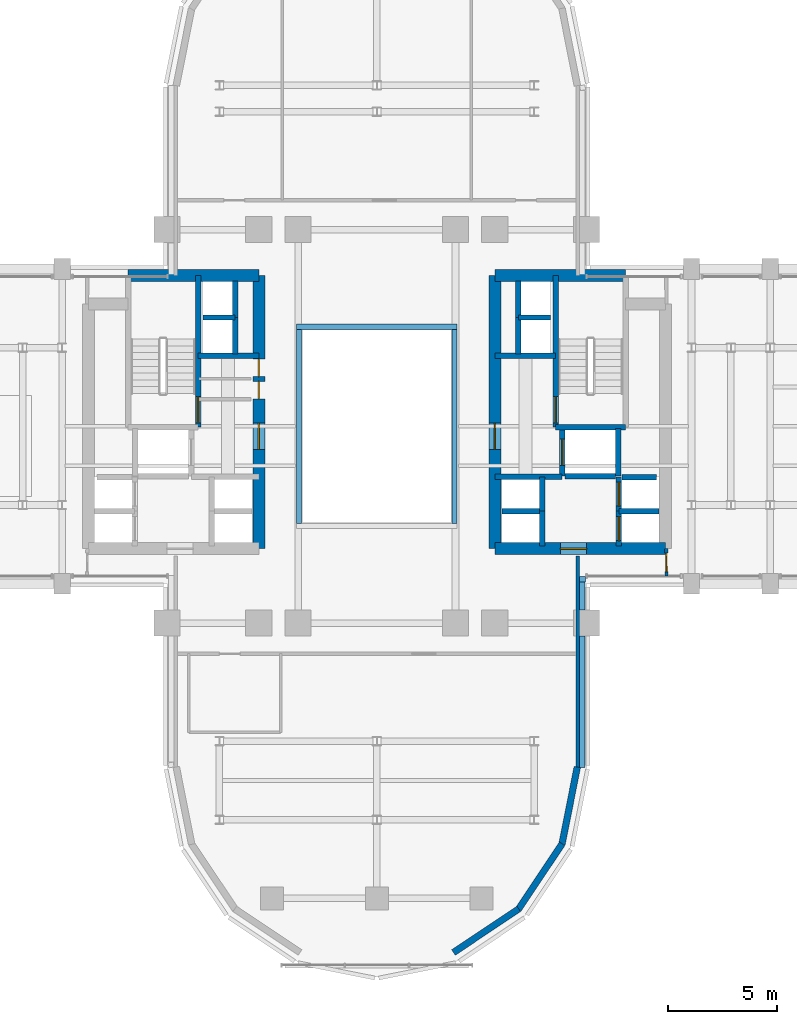
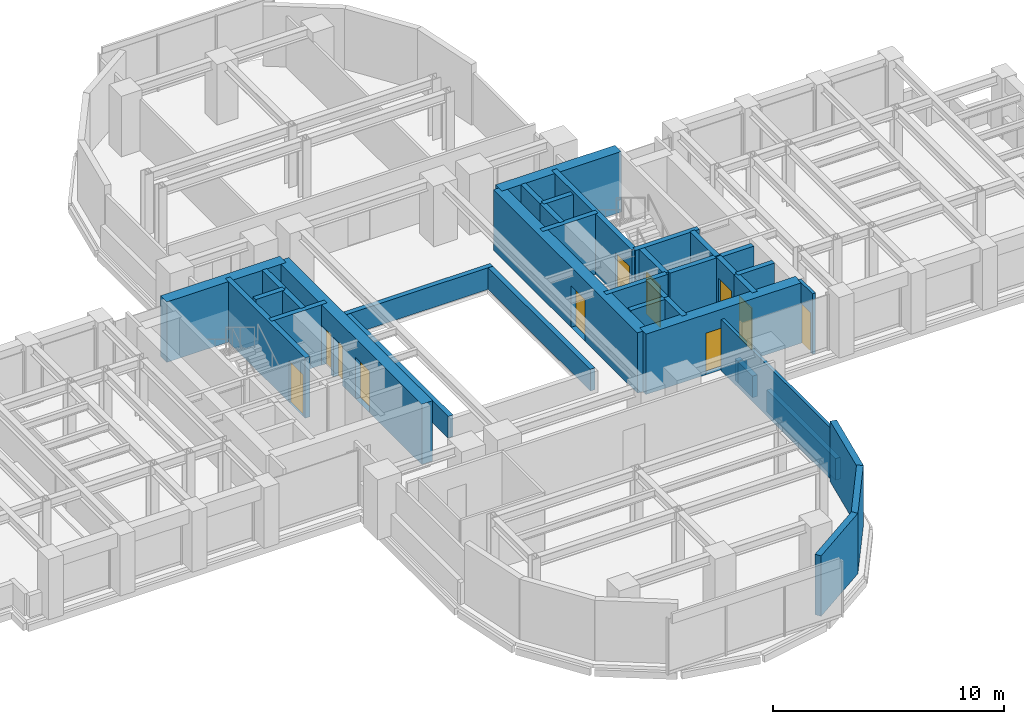
# One storey, part 11 of 15: 38 walls, 11 doors, 11 openings.
"""IFC4 building model written with IfcOpenShell, lengths in metres."""

from ifc_helpers import new_model, si_unit, direction, frame, frame_2d, origin, place, context, subcontext, project, spatial, rectangle, extrude, source, transform, mapped, material, layer, layer_set, type_object, element, fill, save


model = new_model("IFC4")

# Units and contexts
model_context = context("Model", 3, precision=1e-05, world=origin(), true_north=direction((0.0, 1.0)))
body_context = subcontext(model_context, "Body", "Model", "MODEL_VIEW")
ifc_project = project(units=[si_unit("LENGTHUNIT", "METRE"), si_unit("AREAUNIT", "SQUARE_METRE"), si_unit("VOLUMEUNIT", "CUBIC_METRE"), si_unit("PLANEANGLEUNIT", "RADIAN"), si_unit("MASSUNIT", "GRAM", prefix="KILO")], contexts=[model_context])

# Site, building, storey
site_placement = place(None, origin())
site = spatial("IfcSite", under=ifc_project, at=site_placement, CompositionType="ELEMENT")
building_placement = place(site_placement, origin())
building = spatial("IfcBuilding", under=site, at=building_placement, Name="Keilestroom Media Tower", CompositionType="ELEMENT")
storey_placement = place(building_placement, frame((0.0, 0.0, 40.800048828125)))
storey = spatial("IfcBuildingStorey", under=building, at=storey_placement, Name="L09", CompositionType="ELEMENT", Elevation=40.800048828125)

# Walls
ifc_material_1 = material(Name="Precast concrete C40/50", Category="concrete")
ifc_layer_1 = layer(ifc_material_1, 0.300048828125)
ifc_layer_set_1 = layer_set([ifc_layer_1], Name="Precast concrete C40/50")
wall_type_1 = type_object("IfcWallType", Name="Exterior-Masonry-Spandrel-Wall-300", PredefinedType="SOLIDWALL", material=ifc_layer_set_1)
wall_1_placement = place(storey_placement, frame((3.510009765625, -24.073486328125, 0.0), z_axis=(0.0, 0.0, 1.0), x_axis=(0.8314749531, 0.555562239868, 0.0)))
element("IfcWall", 1, at=wall_1_placement, inside=storey, type_object=wall_type_1, Name="L09 Lobe Facet Precast Frame Wall 10", PredefinedType="SOLIDWALL", context=body_context, shape_type="SweptSolid", body=[
    extrude(rectangle(XDim=3.59326171875, YDim=0.300048828125, at=frame_2d((1.796630859375, 0.0))), origin(), (0.0, 0.0, 1.0), 3.199951171875),
])
for number, where, z_axis, x_axis, name in (
    (2, (6.47705078125, -22.097900390625, 0.0), (0.0, 0.0, 1.0), (0.555574187116, 0.831466970246, 0.0), "L09 Lobe Facet Precast Frame Wall 11"),
    (3, (8.470703125, -19.12451171875, 0.0), (0.0, 0.0, 1.0), (0.195114232679, 0.980780523974, 0.0), "L09 Lobe Facet Precast Frame Wall 12"),
):
    element("IfcWall", number, at=place(storey_placement, frame(where, z_axis=z_axis, x_axis=x_axis)), inside=storey, type_object=wall_type_1, Name=name, PredefinedType="SOLIDWALL", context=body_context, shape_type="SweptSolid", body=[
        extrude(rectangle(XDim=3.608642578125, YDim=0.300048828125, at=frame_2d((1.80419921875, 0.0))), origin(), (0.0, 0.0, 1.0), 3.199951171875),
    ])
ifc_material_2 = material(Name="Gypsum Plasterboard & Steel Stud", Category="steel")
ifc_layer_2 = layer(ifc_material_2, 0.14990234375)
ifc_layer_set_2 = layer_set([ifc_layer_2], Name="Gypsum Plasterboard & Steel Stud")
wall_type_2 = type_object("IfcWallType", Name="Interior-Partition-Wall-150", PredefinedType="PARTITIONING", material=ifc_layer_set_2)
wall_2_placement = place(storey_placement, frame((9.199951171875, -15.679931640625, 0.0), z_axis=(0.0, 0.0, 1.0), x_axis=(0.0, 1.0, 0.0)))
element("IfcWall", 4, at=wall_2_placement, inside=storey, type_object=wall_type_2, Name="L09 Interior Wall WP-L09-SL-CHKE", PredefinedType="PARTITIONING", context=body_context, shape_type="SweptSolid", body=[
    extrude(rectangle(XDim=9.739990234375, YDim=0.14990234375, at=frame_2d((4.8701171875, 0.0))), origin(), (0.0, 0.0, 1.0), 2.7099609375),
])

# Wall, opening, door
wall_3_placement = place(storey_placement, frame((13.260009765625, -6.85009765625, 0.0), z_axis=(0.0, 0.0, 1.0), x_axis=(-0.016013571389, 0.999871774545, 0.0)))
wall_3 = element("IfcWall", 5, at=wall_3_placement, inside=storey, type_object=wall_type_2, Name="L09 Interior Wall WP-L09-EA-ENTS", PredefinedType="PARTITIONING", context=body_context, shape_type="SweptSolid", body=[
    extrude(rectangle(XDim=1.250244140625, YDim=0.14990234375, at=frame_2d((0.625, 0.0))), origin(), (0.0, 0.0, 1.0), 3.199951171875),
])
opening_1_placement = place(wall_3_placement, frame((0.199951171875, 0.0, 0.0)))
opening_1 = element("IfcOpeningElement", 6, at=opening_1_placement, cuts=wall_3, Name="Opening DI-05", PredefinedType="OPENING", context=body_context, shape_type="SweptSolid", body=[
    extrude(rectangle(XDim=0.85009765625, YDim=2.10009765625, at=frame_2d((0.425048828125, 1.050048828125))), frame((0.0, 0.0849609375, 0.0), z_axis=(0.0, -1.0, 0.0), x_axis=(1.0, 0.0, 0.0)), (0.0, 0.0, 1.0), 0.169921875),
])
ifc_material_3 = material(Name="Moisture-Resistant Oak Leaf", Category="wood")
door_type_1 = type_object("IfcDoorType", Name="Interior-En-Suite-And-Cupboard-Door-DI-05", OperationType="NOTDEFINED", PredefinedType="DOOR", material=ifc_material_3)
shared_shape_1 = source(origin(), body_context, "Body", "SweptSolid", [
    extrude(rectangle(XDim=0.85009765625, YDim=2.10009765625, at=frame_2d((0.425048828125, 1.050048828125))), frame((0.0, 0.02490234375, 0.0), z_axis=(0.0, -1.0, 0.0), x_axis=(1.0, 0.0, 0.0)), (0.0, 0.0, 1.0), 0.050048828125),
])
door_1_placement = place(opening_1_placement, origin())
door_1 = element("IfcDoor", 7, at=door_1_placement, inside=storey, type_object=door_type_1, Name="L09 Interior Door DI-L09-DEA-S", OperationType="SINGLE_SWING_RIGHT", OverallHeight=2.10009765625, OverallWidth=0.85009765625, PredefinedType="DOOR", context=body_context, shape_type="MappedRepresentation", body=[
    mapped(shared_shape_1, transform((0.0, 0.0, 0.0), x_axis=(1.0, 0.0, 0.0), y_axis=(0.0, 1.0, 0.0), z_axis=(0.0, 0.0, 1.0), scale=1.0)),
])
fill(opening_1, door_1)

# Wall, openings, doors
ifc_material_4 = material(Name="Concrete C70/85", Category="concrete")
ifc_layer_3 = layer(ifc_material_4, 0.550048828125)
ifc_layer_set_3 = layer_set([ifc_layer_3], Name="Concrete C70/85")
wall_type_3 = type_object("IfcWallType", Name="Reinforced-Concrete-Core-Shear-Wall-550", PredefinedType="SHEAR", material=ifc_layer_set_3)
wall_4_placement = place(storey_placement, frame((-5.39990234375, -5.60009765625, 0.0), z_axis=(0.0, 0.0, 1.0), x_axis=(0.0, 1.0, 0.0)))
wall_4 = element("IfcWall", 8, at=wall_4_placement, inside=storey, type_object=wall_type_3, Name="L09 Core Shear Wall WL-L09-CORE-W-IN", PredefinedType="SHEAR", context=body_context, shape_type="SweptSolid", body=[
    extrude(rectangle(XDim=12.5, YDim=0.550048828125, at=frame_2d((6.25, 0.0))), origin(), (0.0, 0.0, 1.0), 3.199951171875),
])
opening_2_placement = place(wall_4_placement, frame((4.550048828125, 0.0, 0.0)))
opening_2 = element("IfcOpeningElement", 9, at=opening_2_placement, cuts=wall_4, Name="Opening DI-02", PredefinedType="OPENING", context=body_context, shape_type="SweptSolid", body=[
    extrude(rectangle(XDim=1.199951171875, YDim=2.199951171875, at=frame_2d((0.60009765625, 1.10009765625))), frame((0.0, 0.28515625, 0.0), z_axis=(0.0, -1.0, 0.0), x_axis=(1.0, 0.0, 0.0)), (0.0, 0.0, 1.0), 0.570068359375),
])
opening_3_placement = place(wall_4_placement, frame((6.860107421875, 0.0, 0.0)))
opening_3 = element("IfcOpeningElement", 10, at=opening_3_placement, cuts=wall_4, Name="Opening DI-06", PredefinedType="OPENING", context=body_context, shape_type="SweptSolid", body=[
    extrude(rectangle(XDim=0.800048828125, YDim=2.10009765625, at=frame_2d((0.39990234375, 1.050048828125))), frame((0.0, 0.28515625, 0.0), z_axis=(0.0, -1.0, 0.0), x_axis=(1.0, 0.0, 0.0)), (0.0, 0.0, 1.0), 0.570068359375),
])
opening_4_placement = place(wall_4_placement, frame((7.8798828125, 0.0, 0.0)))
opening_4 = element("IfcOpeningElement", 11, at=opening_4_placement, cuts=wall_4, Name="Opening DI-06", PredefinedType="OPENING", context=body_context, shape_type="SweptSolid", body=[
    extrude(rectangle(XDim=0.800048828125, YDim=2.10009765625, at=frame_2d((0.39990234375, 1.050048828125))), frame((0.0, 0.28515625, 0.0), z_axis=(0.0, -1.0, 0.0), x_axis=(1.0, 0.0, 0.0)), (0.0, 0.0, 1.0), 0.570068359375),
])
ifc_material_5 = material(Name="Powder-Coated Steel Fire Leaf", Category="steel")
door_type_2 = type_object("IfcDoorType", Name="Interior-Compartment-Fire-Door-DI-02", OperationType="NOTDEFINED", PredefinedType="DOOR", material=ifc_material_5)
shared_shape_2 = source(origin(), body_context, "Body", "SweptSolid", [
    extrude(rectangle(XDim=1.199951171875, YDim=2.199951171875, at=frame_2d((0.60009765625, 1.10009765625))), frame((0.0, 0.02490234375, 0.0), z_axis=(0.0, -1.0, 0.0), x_axis=(1.0, 0.0, 0.0)), (0.0, 0.0, 1.0), 0.050048828125),
])
door_2_placement = place(opening_2_placement, origin())
door_2 = element("IfcDoor", 12, at=door_2_placement, inside=storey, type_object=door_type_2, Name="L09 W Firefighting Lobby Door", OperationType="SINGLE_SWING_RIGHT", OverallHeight=2.199951171875, OverallWidth=1.199951171875, PredefinedType="DOOR", context=body_context, shape_type="MappedRepresentation", body=[
    mapped(shared_shape_2, transform((0.0, 0.0, 0.0), x_axis=(1.0, 0.0, 0.0), y_axis=(0.0, 1.0, 0.0), z_axis=(0.0, 0.0, 1.0), scale=1.0)),
])
fill(opening_2, door_2)
ifc_material_6 = material(Name="Powder-Coated Steel Service Leaf", Category="steel")
door_type_3 = type_object("IfcDoorType", Name="Interior-Riser-Access-Door-DI-06", OperationType="NOTDEFINED", PredefinedType="DOOR", material=ifc_material_6)
shared_shape_3 = source(origin(), body_context, "Body", "SweptSolid", [
    extrude(rectangle(XDim=0.800048828125, YDim=2.10009765625, at=frame_2d((0.39990234375, 1.050048828125))), frame((0.0, 0.02490234375, 0.0), z_axis=(0.0, -1.0, 0.0), x_axis=(1.0, 0.0, 0.0)), (0.0, 0.0, 1.0), 0.050048828125),
])
door_3_placement = place(opening_3_placement, origin())
door_3 = element("IfcDoor", 13, at=door_3_placement, inside=storey, type_object=door_type_3, Name="L09 West Core Switchroom Door", OperationType="SINGLE_SWING_LEFT", OverallHeight=2.10009765625, OverallWidth=0.800048828125, PredefinedType="DOOR", context=body_context, shape_type="MappedRepresentation", body=[
    mapped(shared_shape_3, transform((0.0, 0.0, 0.0), x_axis=(1.0, 0.0, 0.0), y_axis=(0.0, 1.0, 0.0), z_axis=(0.0, 0.0, 1.0), scale=1.0)),
])
fill(opening_3, door_3)
door_4_placement = place(opening_4_placement, origin())
door_4 = element("IfcDoor", 14, at=door_4_placement, inside=storey, type_object=door_type_3, Name="L09 West Core Closet Door", OperationType="SINGLE_SWING_LEFT", OverallHeight=2.10009765625, OverallWidth=0.800048828125, PredefinedType="DOOR", context=body_context, shape_type="MappedRepresentation", body=[
    mapped(shared_shape_3, transform((0.0, 0.0, 0.0), x_axis=(1.0, 0.0, 0.0), y_axis=(0.0, 1.0, 0.0), z_axis=(0.0, 0.0, 1.0), scale=1.0)),
])
fill(opening_4, door_4)

# Wall
wall_5_placement = place(storey_placement, frame((-11.381103515625, 6.89990234375, 0.0), z_axis=(0.0, 0.0, 1.0), x_axis=(1.0, 0.0, 0.0)))
element("IfcWall", 15, at=wall_5_placement, inside=storey, type_object=wall_type_3, Name="L09 Core Shear Wall WL-L09-CORE-W-N", PredefinedType="SHEAR", context=body_context, shape_type="SweptSolid", body=[
    extrude(rectangle(XDim=5.981201171875, YDim=0.550048828125, at=frame_2d((2.99072265625, 0.0))), origin(), (0.0, 0.0, 1.0), 3.199951171875),
])

# Wall, opening, door
wall_6_placement = place(storey_placement, frame((5.39990234375, -5.60009765625, 0.0), z_axis=(0.0, 0.0, 1.0), x_axis=(0.0, 1.0, 0.0)))
wall_6 = element("IfcWall", 16, at=wall_6_placement, inside=storey, type_object=wall_type_3, Name="L09 Core Shear Wall WL-L09-CORE-E-IN", PredefinedType="SHEAR", context=body_context, shape_type="SweptSolid", body=[
    extrude(rectangle(XDim=12.5, YDim=0.550048828125, at=frame_2d((6.25, 0.0))), origin(), (0.0, 0.0, 1.0), 3.199951171875),
])
opening_5_placement = place(wall_6_placement, frame((4.550048828125, 0.0, 0.0)))
opening_5 = element("IfcOpeningElement", 17, at=opening_5_placement, cuts=wall_6, Name="Opening DI-02", PredefinedType="OPENING", context=body_context, shape_type="SweptSolid", body=[
    extrude(rectangle(XDim=1.199951171875, YDim=2.199951171875, at=frame_2d((0.60009765625, 1.10009765625))), frame((0.0, 0.28515625, 0.0), z_axis=(0.0, -1.0, 0.0), x_axis=(1.0, 0.0, 0.0)), (0.0, 0.0, 1.0), 0.570068359375),
])
door_5_placement = place(opening_5_placement, origin())
door_5 = element("IfcDoor", 18, at=door_5_placement, inside=storey, type_object=door_type_2, Name="L09 E Firefighting Lobby Door", OperationType="SINGLE_SWING_LEFT", OverallHeight=2.199951171875, OverallWidth=1.199951171875, PredefinedType="DOOR", context=body_context, shape_type="MappedRepresentation", body=[
    mapped(shared_shape_2, transform((0.0, 0.0, 0.0), x_axis=(1.0, 0.0, 0.0), y_axis=(0.0, 1.0, 0.0), z_axis=(0.0, 0.0, 1.0), scale=1.0)),
])
fill(opening_5, door_5)

# Wall
wall_7_placement = place(storey_placement, frame((5.39990234375, 6.89990234375, 0.0), z_axis=(0.0, 0.0, 1.0), x_axis=(1.0, 0.0, 0.0)))
element("IfcWall", 19, at=wall_7_placement, inside=storey, type_object=wall_type_3, Name="L09 Core Shear Wall WL-L09-CORE-E-N", PredefinedType="SHEAR", context=body_context, shape_type="SweptSolid", body=[
    extrude(rectangle(XDim=5.981201171875, YDim=0.550048828125, at=frame_2d((2.99072265625, 0.0))), origin(), (0.0, 0.0, 1.0), 3.199951171875),
])

# Wall, opening, door
wall_8_placement = place(storey_placement, frame((5.39990234375, -5.60009765625, 0.0), z_axis=(0.0, 0.0, 1.0), x_axis=(1.0, 0.0, 0.0)))
wall_8 = element("IfcWall", 20, at=wall_8_placement, inside=storey, type_object=wall_type_3, Name="L09 Core Shear Wall WL-L09-CORE-E-S", PredefinedType="SHEAR", context=body_context, shape_type="SweptSolid", body=[
    extrude(rectangle(XDim=7.800048828125, YDim=0.550048828125, at=frame_2d((3.89990234375, 0.0))), origin(), (0.0, 0.0, 1.0), 3.199951171875),
])
opening_6_placement = place(wall_8_placement, frame((3.0, 0.0, 0.0)))
opening_6 = element("IfcOpeningElement", 21, at=opening_6_placement, cuts=wall_8, Name="Opening DI-02", PredefinedType="OPENING", context=body_context, shape_type="SweptSolid", body=[
    extrude(rectangle(XDim=1.199951171875, YDim=2.199951171875, at=frame_2d((0.60009765625, 1.10009765625))), frame((0.0, 0.28515625, 0.0), z_axis=(0.0, -1.0, 0.0), x_axis=(1.0, 0.0, 0.0)), (0.0, 0.0, 1.0), 0.570068359375),
])
door_6_placement = place(opening_6_placement, origin())
door_6 = element("IfcDoor", 22, at=door_6_placement, inside=storey, type_object=door_type_2, Name="L09 E Passenger Lift Lobby Door", OperationType="SINGLE_SWING_RIGHT", OverallHeight=2.199951171875, OverallWidth=1.199951171875, PredefinedType="DOOR", context=body_context, shape_type="MappedRepresentation", body=[
    mapped(shared_shape_2, transform((0.0, 0.0, 0.0), x_axis=(1.0, 0.0, 0.0), y_axis=(0.0, 1.0, 0.0), z_axis=(0.0, 0.0, 1.0), scale=1.0)),
])
fill(opening_6, door_6)

# Wall
ifc_material_7 = material(Name="Concrete C50/60", Category="concrete")
ifc_layer_4 = layer(ifc_material_7, 0.25)
ifc_layer_set_4 = layer_set([ifc_layer_4], Name="Concrete C50/60")
wall_type_4 = type_object("IfcWallType", Name="Reinforced-Concrete-Shaft-Wall-250", PredefinedType="SOLIDWALL", material=ifc_layer_set_4)
wall_9_placement = place(storey_placement, frame((-8.179931640625, 3.219970703125, 0.0), z_axis=(0.0, 0.0, 1.0), x_axis=(1.0, 0.0, 0.0)))
element("IfcWall", 23, at=wall_9_placement, inside=storey, type_object=wall_type_4, Name="L09 Core Shear Wall WL-L09-CORE-W-FFN", PredefinedType="SOLIDWALL", context=body_context, shape_type="SweptSolid", body=[
    extrude(rectangle(XDim=2.780029296875, YDim=0.25, at=frame_2d((1.39013671875, 0.0))), origin(), (0.0, 0.0, 1.0), 3.199951171875),
])

# Wall, opening, door
wall_10_placement = place(storey_placement, frame((-8.178955078125, -0.041015625, 0.0), z_axis=(0.0, 0.0, 1.0), x_axis=(0.0, 1.0, 0.0)))
wall_10 = element("IfcWall", 24, at=wall_10_placement, inside=storey, type_object=wall_type_4, Name="L09 Core Shear Wall WL-L09-STW-W-NEAR", PredefinedType="SOLIDWALL", context=body_context, shape_type="SweptSolid", body=[
    extrude(rectangle(XDim=6.94091796875, YDim=0.25, at=frame_2d((3.470458984375, 0.0))), origin(), (0.0, 0.0, 1.0), 3.199951171875),
])
opening_7_placement = place(wall_10_placement, frame((0.199951171875, 0.0, 0.0)))
opening_7 = element("IfcOpeningElement", 25, at=opening_7_placement, cuts=wall_10, Name="Opening DI-01S", PredefinedType="OPENING", context=body_context, shape_type="SweptSolid", body=[
    extrude(rectangle(XDim=1.199951171875, YDim=2.199951171875, at=frame_2d((0.60009765625, 1.10009765625))), frame((0.0, 0.135009765625, 0.0), z_axis=(0.0, -1.0, 0.0), x_axis=(1.0, 0.0, 0.0)), (0.0, 0.0, 1.0), 0.27001953125),
])
door_type_4 = type_object("IfcDoorType", Name="Interior-Stair-And-Core-Fire-Door-DI-01", OperationType="NOTDEFINED", PredefinedType="DOOR", material=ifc_material_5)
door_7_placement = place(opening_7_placement, origin())
door_7 = element("IfcDoor", 26, at=door_7_placement, inside=storey, type_object=door_type_4, Name="L09 Escape Stair ST-1 Fire Door", OperationType="SINGLE_SWING_LEFT", OverallHeight=2.199951171875, OverallWidth=1.199951171875, PredefinedType="DOOR", context=body_context, shape_type="MappedRepresentation", body=[
    mapped(shared_shape_2, transform((0.0, 0.0, 0.0), x_axis=(1.0, 0.0, 0.0), y_axis=(0.0, 1.0, 0.0), z_axis=(0.0, 0.0, 1.0), scale=1.0)),
])
fill(opening_7, door_7)

# Walls
wall_11_placement = place(storey_placement, frame((5.39990234375, 3.219970703125, 0.0), z_axis=(0.0, 0.0, 1.0), x_axis=(1.0, 0.0, 0.0)))
element("IfcWall", 27, at=wall_11_placement, inside=storey, type_object=wall_type_4, Name="L09 Core Shear Wall WL-L09-CORE-E-FFN", PredefinedType="SOLIDWALL", context=body_context, shape_type="SweptSolid", body=[
    extrude(rectangle(XDim=2.780029296875, YDim=0.25, at=frame_2d((1.39013671875, 0.0))), origin(), (0.0, 0.0, 1.0), 3.199951171875),
])
wall_12_placement = place(storey_placement, frame((5.39990234375, -2.300048828125, 0.0), z_axis=(0.0, 0.0, 1.0), x_axis=(1.0, 0.0, 0.0)))
element("IfcWall", 28, at=wall_12_placement, inside=storey, type_object=wall_type_4, Name="L09 Core Shear Wall WL-L09-CORE-E-FFS", PredefinedType="SOLIDWALL", context=body_context, shape_type="SweptSolid", body=[
    extrude(rectangle(XDim=3.080078125, YDim=0.25, at=frame_2d((1.5400390625, 0.0))), origin(), (0.0, 0.0, 1.0), 3.199951171875),
])

# Wall, opening, door
wall_13_placement = place(storey_placement, frame((8.178955078125, -0.041015625, 0.0), z_axis=(0.0, 0.0, 1.0), x_axis=(0.0, 1.0, 0.0)))
wall_13 = element("IfcWall", 29, at=wall_13_placement, inside=storey, type_object=wall_type_4, Name="L09 Core Shear Wall WL-L09-STW-E-NEAR", PredefinedType="SOLIDWALL", context=body_context, shape_type="SweptSolid", body=[
    extrude(rectangle(XDim=6.94091796875, YDim=0.25, at=frame_2d((3.470458984375, 0.0))), origin(), (0.0, 0.0, 1.0), 3.199951171875),
])
opening_8_placement = place(wall_13_placement, frame((0.199951171875, 0.0, 0.0)))
opening_8 = element("IfcOpeningElement", 30, at=opening_8_placement, cuts=wall_13, Name="Opening DI-01S", PredefinedType="OPENING", context=body_context, shape_type="SweptSolid", body=[
    extrude(rectangle(XDim=1.199951171875, YDim=2.199951171875, at=frame_2d((0.60009765625, 1.10009765625))), frame((0.0, 0.135009765625, 0.0), z_axis=(0.0, -1.0, 0.0), x_axis=(1.0, 0.0, 0.0)), (0.0, 0.0, 1.0), 0.27001953125),
])
door_8_placement = place(opening_8_placement, origin())
door_8 = element("IfcDoor", 31, at=door_8_placement, inside=storey, type_object=door_type_4, Name="L09 Escape Stair ST-2 Fire Door", OperationType="SINGLE_SWING_RIGHT", OverallHeight=2.199951171875, OverallWidth=1.199951171875, PredefinedType="DOOR", context=body_context, shape_type="MappedRepresentation", body=[
    mapped(shared_shape_2, transform((0.0, 0.0, 0.0), x_axis=(1.0, 0.0, 0.0), y_axis=(0.0, 1.0, 0.0), z_axis=(0.0, 0.0, 1.0), scale=1.0)),
])
fill(opening_8, door_8)

# Wall
wall_14_placement = place(storey_placement, frame((8.178955078125, -0.041015625, 0.0), z_axis=(0.0, 0.0, 1.0), x_axis=(1.0, 0.0, 0.0)))
element("IfcWall", 32, at=wall_14_placement, inside=storey, type_object=wall_type_4, Name="L09 Core Shear Wall WL-L09-STW-E-S", PredefinedType="SOLIDWALL", context=body_context, shape_type="SweptSolid", body=[
    extrude(rectangle(XDim=3.2021484375, YDim=0.25, at=frame_2d((1.60107421875, 0.0))), origin(), (0.0, 0.0, 1.0), 3.199951171875),
])

# Wall, opening, door
wall_15_placement = place(storey_placement, frame((8.47998046875, -2.280029296875, 0.0), z_axis=(0.0, 0.0, 1.0), x_axis=(0.0, 1.0, 0.0)))
wall_15 = element("IfcWall", 33, at=wall_15_placement, inside=storey, type_object=wall_type_4, Name="L09 Core Shear Wall WL-L09-LSH-FFL-2-W", PredefinedType="SOLIDWALL", context=body_context, shape_type="SweptSolid", body=[
    extrude(rectangle(XDim=2.179931640625, YDim=0.25, at=frame_2d((1.08984375, 0.0))), origin(), (0.0, 0.0, 1.0), 3.199951171875),
])
opening_9_placement = place(wall_15_placement, frame((0.489990234375, 0.0, 0.0)))
opening_9 = element("IfcOpeningElement", 34, at=opening_9_placement, cuts=wall_15, Name="Opening LD-02", PredefinedType="OPENING", context=body_context, shape_type="SweptSolid", body=[
    extrude(rectangle(XDim=1.199951171875, YDim=2.199951171875, at=frame_2d((0.60009765625, 1.10009765625))), frame((0.0, 0.135009765625, 0.0), z_axis=(0.0, -1.0, 0.0), x_axis=(1.0, 0.0, 0.0)), (0.0, 0.0, 1.0), 0.27001953125),
])
ifc_material_8 = material(Name="Brushed Stainless Steel Sliding Leaf", Category="steel")
door_type_5 = type_object("IfcDoorType", Name="Lift-Landing-Sliding-Door-LD-02", OperationType="SLIDING_TO_RIGHT", PredefinedType="DOOR", material=ifc_material_8)
door_9_placement = place(opening_9_placement, origin())
door_9 = element("IfcDoor", 35, at=door_9_placement, inside=storey, type_object=door_type_5, Name="L09 Lift FFL-2 Landing Sliding Door", OperationType="SLIDING_TO_RIGHT", OverallHeight=2.199951171875, OverallWidth=1.199951171875, PredefinedType="DOOR", context=body_context, shape_type="MappedRepresentation", body=[
    mapped(shared_shape_2, transform((0.0, 0.0, 0.0), x_axis=(1.0, 0.0, 0.0), y_axis=(0.0, 1.0, 0.0), z_axis=(0.0, 0.0, 1.0), scale=1.0)),
])
fill(opening_9, door_9)

# Walls
wall_16_placement = place(storey_placement, frame((11.050048828125, -2.280029296875, 0.0), z_axis=(0.0, 0.0, 1.0), x_axis=(0.0, 1.0, 0.0)))
element("IfcWall", 36, at=wall_16_placement, inside=storey, type_object=wall_type_4, Name="L09 Core Shear Wall WL-L09-LSH-FFL-2-E", PredefinedType="SOLIDWALL", context=body_context, shape_type="SweptSolid", body=[
    extrude(rectangle(XDim=2.179931640625, YDim=0.25, at=frame_2d((1.08984375, 0.0))), origin(), (0.0, 0.0, 1.0), 3.199951171875),
])
wall_17_placement = place(storey_placement, frame((8.60888671875, -2.280029296875, 0.0), z_axis=(0.0, 0.0, 1.0), x_axis=(1.0, 0.0, 0.0)))
element("IfcWall", 37, at=wall_17_placement, inside=storey, type_object=wall_type_4, Name="L09 Core Shear Wall WL-L09-LSH-FFL-2-S", PredefinedType="SOLIDWALL", context=body_context, shape_type="SweptSolid", body=[
    extrude(rectangle(XDim=2.31201171875, YDim=0.25, at=frame_2d((1.156005859375, 0.0))), origin(), (0.0, 0.0, 1.0), 3.199951171875),
])

# Wall, opening, door
wall_18_placement = place(storey_placement, frame((11.080078125, -5.47998046875, 0.0), z_axis=(0.0, 0.0, 1.0), x_axis=(0.0, 1.0, 0.0)))
wall_18 = element("IfcWall", 38, at=wall_18_placement, inside=storey, type_object=wall_type_4, Name="L09 Core Shear Wall WL-L09-LSH-PL-L3-W", PredefinedType="SOLIDWALL", context=body_context, shape_type="SweptSolid", body=[
    extrude(rectangle(XDim=1.60009765625, YDim=0.25, at=frame_2d((0.800048828125, 0.0))), origin(), (0.0, 0.0, 1.0), 3.199951171875),
])
opening_10_placement = place(wall_18_placement, frame((0.25, 0.0, 0.0)))
opening_10 = element("IfcOpeningElement", 39, at=opening_10_placement, cuts=wall_18, Name="Opening LD-01", PredefinedType="OPENING", context=body_context, shape_type="SweptSolid", body=[
    extrude(rectangle(XDim=1.10009765625, YDim=2.199951171875, at=frame_2d((0.550048828125, 1.10009765625))), frame((0.0, 0.135009765625, 0.0), z_axis=(0.0, -1.0, 0.0), x_axis=(1.0, 0.0, 0.0)), (0.0, 0.0, 1.0), 0.27001953125),
])
door_type_6 = type_object("IfcDoorType", Name="Lift-Landing-Sliding-Door-LD-01", OperationType="SLIDING_TO_LEFT", PredefinedType="DOOR", material=ifc_material_8)
shared_shape_4 = source(origin(), body_context, "Body", "SweptSolid", [
    extrude(rectangle(XDim=1.10009765625, YDim=2.199951171875, at=frame_2d((0.550048828125, 1.10009765625))), frame((0.0, 0.02490234375, 0.0), z_axis=(0.0, -1.0, 0.0), x_axis=(1.0, 0.0, 0.0)), (0.0, 0.0, 1.0), 0.050048828125),
])
door_10_placement = place(opening_10_placement, origin())
door_10 = element("IfcDoor", 40, at=door_10_placement, inside=storey, type_object=door_type_6, Name="L09 Lift PL-L3 Landing Sliding Door", OperationType="SLIDING_TO_LEFT", OverallHeight=2.199951171875, OverallWidth=1.10009765625, PredefinedType="DOOR", context=body_context, shape_type="MappedRepresentation", body=[
    mapped(shared_shape_4, transform((0.0, 0.0, 0.0), x_axis=(1.0, 0.0, 0.0), y_axis=(0.0, 1.0, 0.0), z_axis=(0.0, 0.0, 1.0), scale=1.0)),
])
fill(opening_10, door_10)

# Wall
wall_19_placement = place(storey_placement, frame((11.080078125, -3.8798828125, 0.0), z_axis=(0.0, 0.0, 1.0), x_axis=(1.0, 0.0, 0.0)))
element("IfcWall", 41, at=wall_19_placement, inside=storey, type_object=wall_type_4, Name="L09 Core Shear Wall WL-L09-LSH-PL-L3-N", PredefinedType="SOLIDWALL", context=body_context, shape_type="SweptSolid", body=[
    extrude(rectangle(XDim=1.83984375, YDim=0.25, at=frame_2d((0.919921875, 0.0))), origin(), (0.0, 0.0, 1.0), 3.199951171875),
])

# Wall, opening, door
wall_20_placement = place(storey_placement, frame((11.080078125, -3.8798828125, 0.0), z_axis=(0.0, 0.0, 1.0), x_axis=(0.0, 1.0, 0.0)))
wall_20 = element("IfcWall", 42, at=wall_20_placement, inside=storey, type_object=wall_type_4, Name="L09 Core Shear Wall WL-L09-LSH-PL-L4-W", PredefinedType="SOLIDWALL", context=body_context, shape_type="SweptSolid", body=[
    extrude(rectangle(XDim=1.559814453125, YDim=0.25, at=frame_2d((0.77978515625, 0.0))), origin(), (0.0, 0.0, 1.0), 3.199951171875),
])
opening_11_placement = place(wall_20_placement, frame((0.22998046875, 0.0, 0.0)))
opening_11 = element("IfcOpeningElement", 43, at=opening_11_placement, cuts=wall_20, Name="Opening LD-01", PredefinedType="OPENING", context=body_context, shape_type="SweptSolid", body=[
    extrude(rectangle(XDim=1.10009765625, YDim=2.199951171875, at=frame_2d((0.550048828125, 1.10009765625))), frame((0.0, 0.135009765625, 0.0), z_axis=(0.0, -1.0, 0.0), x_axis=(1.0, 0.0, 0.0)), (0.0, 0.0, 1.0), 0.27001953125),
])
door_11_placement = place(opening_11_placement, origin())
door_11 = element("IfcDoor", 44, at=door_11_placement, inside=storey, type_object=door_type_6, Name="L09 Lift PL-L4 Landing Sliding Door", OperationType="SLIDING_TO_LEFT", OverallHeight=2.199951171875, OverallWidth=1.10009765625, PredefinedType="DOOR", context=body_context, shape_type="MappedRepresentation", body=[
    mapped(shared_shape_4, transform((0.0, 0.0, 0.0), x_axis=(1.0, 0.0, 0.0), y_axis=(0.0, 1.0, 0.0), z_axis=(0.0, 0.0, 1.0), scale=1.0)),
])
fill(opening_11, door_11)

# Walls
wall_21_placement = place(storey_placement, frame((11.208984375, -2.320068359375, 0.0), z_axis=(0.0, 0.0, 1.0), x_axis=(1.0, 0.0, 0.0)))
element("IfcWall", 45, at=wall_21_placement, inside=storey, type_object=wall_type_4, Name="L09 Core Shear Wall WL-L09-LSH-PL-L4-N", PredefinedType="SOLIDWALL", context=body_context, shape_type="SweptSolid", body=[
    extrude(rectangle(XDim=1.58203125, YDim=0.25, at=frame_2d((0.791015625, 0.0))), origin(), (0.0, 0.0, 1.0), 3.199951171875),
])
wall_22_placement = place(storey_placement, frame((7.56005859375, -5.47998046875, 0.0), z_axis=(0.0, 0.0, 1.0), x_axis=(0.0, 1.0, 0.0)))
element("IfcWall", 46, at=wall_22_placement, inside=storey, type_object=wall_type_4, Name="L09 Core Shear Wall WL-L09-LSH-PL-M3-E", PredefinedType="SOLIDWALL", context=body_context, shape_type="SweptSolid", body=[
    extrude(rectangle(XDim=1.60009765625, YDim=0.25, at=frame_2d((0.800048828125, 0.0))), origin(), (0.0, 0.0, 1.0), 3.199951171875),
])
wall_23_placement = place(storey_placement, frame((5.719970703125, -3.8798828125, 0.0), z_axis=(0.0, 0.0, 1.0), x_axis=(1.0, 0.0, 0.0)))
element("IfcWall", 47, at=wall_23_placement, inside=storey, type_object=wall_type_4, Name="L09 Core Shear Wall WL-L09-LSH-PL-M3-N", PredefinedType="SOLIDWALL", context=body_context, shape_type="SweptSolid", body=[
    extrude(rectangle(XDim=1.840087890625, YDim=0.25, at=frame_2d((0.919921875, 0.0))), origin(), (0.0, 0.0, 1.0), 3.199951171875),
])
wall_24_placement = place(storey_placement, frame((7.56005859375, -3.8798828125, 0.0), z_axis=(0.0, 0.0, 1.0), x_axis=(0.0, 1.0, 0.0)))
element("IfcWall", 48, at=wall_24_placement, inside=storey, type_object=wall_type_4, Name="L09 Core Shear Wall WL-L09-LSH-PL-M4-E", PredefinedType="SOLIDWALL", context=body_context, shape_type="SweptSolid", body=[
    extrude(rectangle(XDim=1.559814453125, YDim=0.25, at=frame_2d((0.77978515625, 0.0))), origin(), (0.0, 0.0, 1.0), 3.199951171875),
])
wall_25_placement = place(storey_placement, frame((-6.47998046875, 3.300048828125, 0.0), z_axis=(0.0, 0.0, 1.0), x_axis=(0.0, 1.0, 0.0)))
element("IfcWall", 49, at=wall_25_placement, inside=storey, type_object=wall_type_4, Name="L09 Core Shear Wall WL-L09-LSH-PL-H1-E", PredefinedType="SOLIDWALL", context=body_context, shape_type="SweptSolid", body=[
    extrude(rectangle(XDim=1.679931640625, YDim=0.25, at=frame_2d((0.83984375, 0.0))), origin(), (0.0, 0.0, 1.0), 3.199951171875),
])
wall_26_placement = place(storey_placement, frame((-7.949951171875, 4.97998046875, 0.0), z_axis=(0.0, 0.0, 1.0), x_axis=(1.0, 0.0, 0.0)))
element("IfcWall", 50, at=wall_26_placement, inside=storey, type_object=wall_type_4, Name="L09 Core Shear Wall WL-L09-LSH-PL-H1-N", PredefinedType="SOLIDWALL", context=body_context, shape_type="SweptSolid", body=[
    extrude(rectangle(XDim=1.469970703125, YDim=0.25, at=frame_2d((0.73486328125, 0.0))), origin(), (0.0, 0.0, 1.0), 3.199951171875),
])
wall_27_placement = place(storey_placement, frame((-6.47998046875, 4.97998046875, 0.0), z_axis=(0.0, 0.0, 1.0), x_axis=(0.0, 1.0, 0.0)))
element("IfcWall", 51, at=wall_27_placement, inside=storey, type_object=wall_type_4, Name="L09 Core Shear Wall WL-L09-LSH-PL-H2-E", PredefinedType="SOLIDWALL", context=body_context, shape_type="SweptSolid", body=[
    extrude(rectangle(XDim=1.669921875, YDim=0.25, at=frame_2d((0.8349609375, 0.0))), origin(), (0.0, 0.0, 1.0), 3.199951171875),
])
wall_28_placement = place(storey_placement, frame((6.47998046875, 3.300048828125, 0.0), z_axis=(0.0, 0.0, 1.0), x_axis=(0.0, 1.0, 0.0)))
element("IfcWall", 52, at=wall_28_placement, inside=storey, type_object=wall_type_4, Name="L09 Core Shear Wall WL-L09-LSH-PL-H3-W", PredefinedType="SOLIDWALL", context=body_context, shape_type="SweptSolid", body=[
    extrude(rectangle(XDim=1.679931640625, YDim=0.25, at=frame_2d((0.83984375, 0.0))), origin(), (0.0, 0.0, 1.0), 3.199951171875),
])
wall_29_placement = place(storey_placement, frame((6.47998046875, 4.97998046875, 0.0), z_axis=(0.0, 0.0, 1.0), x_axis=(1.0, 0.0, 0.0)))
element("IfcWall", 53, at=wall_29_placement, inside=storey, type_object=wall_type_4, Name="L09 Core Shear Wall WL-L09-LSH-PL-H3-N", PredefinedType="SOLIDWALL", context=body_context, shape_type="SweptSolid", body=[
    extrude(rectangle(XDim=1.469970703125, YDim=0.25, at=frame_2d((0.73486328125, 0.0))), origin(), (0.0, 0.0, 1.0), 3.199951171875),
])
wall_30_placement = place(storey_placement, frame((6.47998046875, 4.97998046875, 0.0), z_axis=(0.0, 0.0, 1.0), x_axis=(0.0, 1.0, 0.0)))
element("IfcWall", 54, at=wall_30_placement, inside=storey, type_object=wall_type_4, Name="L09 Core Shear Wall WL-L09-LSH-PL-H4-W", PredefinedType="SOLIDWALL", context=body_context, shape_type="SweptSolid", body=[
    extrude(rectangle(XDim=1.669921875, YDim=0.25, at=frame_2d((0.8349609375, 0.0))), origin(), (0.0, 0.0, 1.0), 3.199951171875),
])
ifc_layer_5 = layer(ifc_material_1, 0.239990234375)
ifc_layer_set_5 = layer_set([ifc_layer_5], Name="Precast concrete C40/50")
wall_type_5 = type_object("IfcWallType", Name="Roof-And-Terrace-Parapet-Wall-240", PredefinedType="PARAPET", material=ifc_layer_set_5)
wall_31_placement = place(storey_placement, frame((9.547119140625, -7.0, 0.0), z_axis=(0.0, 0.0, 1.0), x_axis=(-1.0, 0.0, 0.0)))
element("IfcWall", 55, at=wall_31_placement, inside=storey, type_object=wall_type_5, Name="L09 Perimeter Edge Parapet Wall 06", PredefinedType="PARAPET", context=body_context, shape_type="SweptSolid", body=[
    extrude(rectangle(XDim=0.26904296875, YDim=0.239990234375, at=frame_2d((0.134521484375, 0.0))), origin(), (0.0, 0.0, 1.0), 1.14990234375),
])
wall_32_placement = place(storey_placement, frame((9.39990234375, -7.123046875, 0.0), z_axis=(0.0, 0.0, 1.0), x_axis=(0.0, -1.0, 0.0)))
element("IfcWall", 56, at=wall_32_placement, inside=storey, type_object=wall_type_5, Name="L09 Perimeter Edge Parapet Wall 07", PredefinedType="PARAPET", context=body_context, shape_type="SweptSolid", body=[
    extrude(rectangle(XDim=1.27392578125, YDim=0.239990234375, at=frame_2d((0.636962890625, 0.0))), origin(), (0.0, 0.0, 1.0), 1.14990234375),
])
wall_33_placement = place(storey_placement, frame((9.39990234375, -9.60302734375, 0.0), z_axis=(0.0, 0.0, 1.0), x_axis=(0.0, -1.0, 0.0)))
element("IfcWall", 57, at=wall_33_placement, inside=storey, type_object=wall_type_5, Name="L09 Perimeter Edge Parapet Wall 08", PredefinedType="PARAPET", context=body_context, shape_type="SweptSolid", body=[
    extrude(rectangle(XDim=5.999755859375, YDim=0.239990234375, at=frame_2d((3.0, 0.0))), origin(), (0.0, 0.0, 1.0), 1.14990234375),
])
wall_34_placement = place(storey_placement, frame((-3.679931640625, 4.56005859375, 0.0), z_axis=(0.0, 0.0, 1.0), x_axis=(1.0, 0.0, 0.0)))
element("IfcWall", 58, at=wall_34_placement, inside=storey, type_object=wall_type_5, Name="L09 Central Atrium Guard Parapet N", PredefinedType="PARAPET", context=body_context, shape_type="SweptSolid", body=[
    extrude(rectangle(XDim=7.35986328125, YDim=0.239990234375, at=frame_2d((3.679931640625, 0.0))), origin(), (0.0, 0.0, 1.0), 1.14990234375),
])
for number, where, z_axis, x_axis, name in (
    (59, (-3.56005859375, -4.43505859375, 0.0), (0.0, 0.0, 1.0), (0.0, 1.0, 0.0), "L09 Central Atrium Guard Parapet W"),
    (60, (3.56005859375, -4.43505859375, 0.0), (0.0, 0.0, 1.0), (0.0, 1.0, 0.0), "L09 Central Atrium Guard Parapet E"),
):
    element("IfcWall", number, at=place(storey_placement, frame(where, z_axis=z_axis, x_axis=x_axis)), inside=storey, type_object=wall_type_5, Name=name, PredefinedType="PARAPET", context=body_context, shape_type="SweptSolid", body=[
        extrude(rectangle(XDim=8.8701171875, YDim=0.239990234375, at=frame_2d((4.43505859375, 0.0))), origin(), (0.0, 0.0, 1.0), 1.14990234375),
    ])

save(model, "model.ifc")
